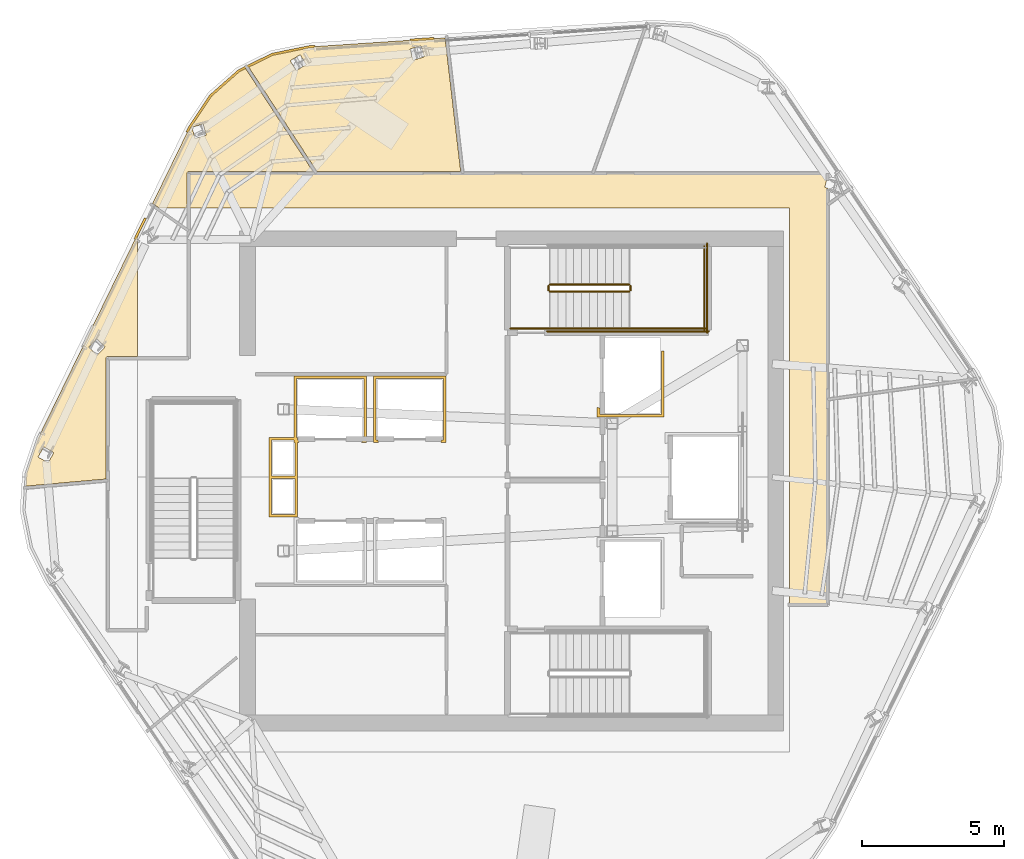
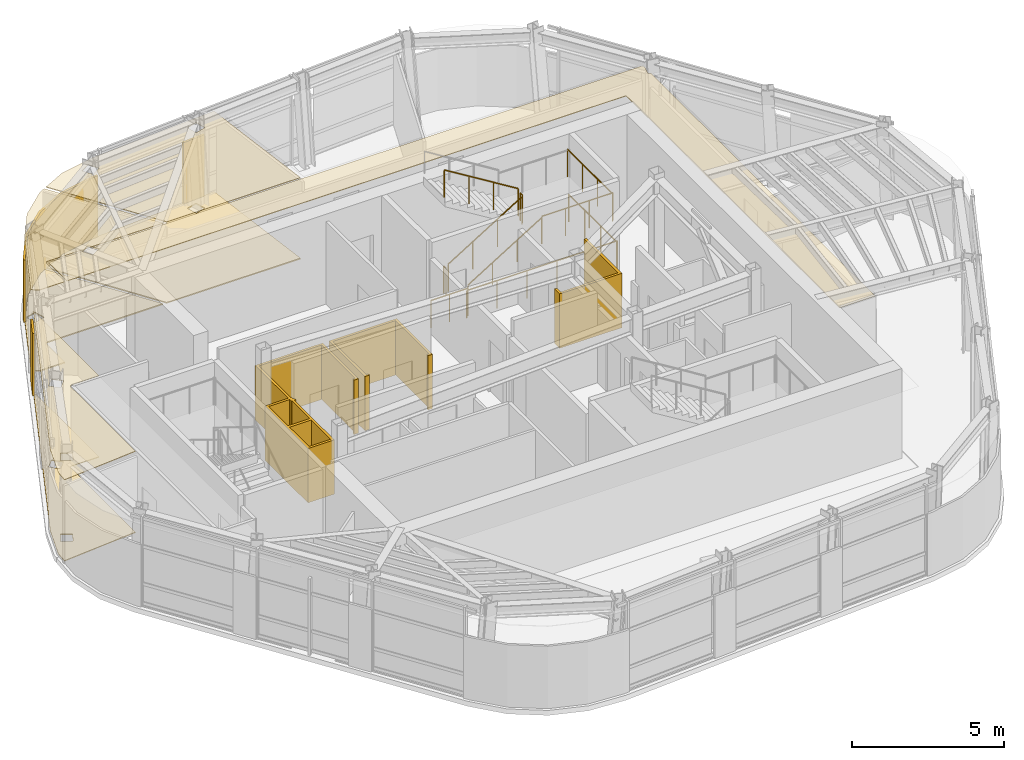
# One storey, part 12 of 14: 13 coverings, 10 railings.
"""IFC4 building model written with IfcOpenShell, lengths in metres."""

from ifc_helpers import new_model, si_unit, direction, frame, origin, origin_2d, place, context, subcontext, project, spatial, polyline, circle, outline, extrude, material, layer, layer_set, type_object, element, save


model = new_model("IFC4")

# Units and contexts
model_context = context("Model", 3, precision=1e-05, world=origin(), true_north=direction((0.0, 1.0)))
body_context = subcontext(model_context, "Body", "Model", "MODEL_VIEW")
ifc_project = project(units=[si_unit("LENGTHUNIT", "METRE"), si_unit("AREAUNIT", "SQUARE_METRE"), si_unit("VOLUMEUNIT", "CUBIC_METRE"), si_unit("PLANEANGLEUNIT", "RADIAN"), si_unit("MASSUNIT", "GRAM", prefix="KILO")], contexts=[model_context])

# Site, building, storey
site_placement = place(None, origin())
site = spatial("IfcSite", under=ifc_project, at=site_placement, CompositionType="ELEMENT")
building_placement = place(site_placement, origin())
building = spatial("IfcBuilding", under=site, at=building_placement, Name="Valkerne Bourse Tower", CompositionType="ELEMENT")
storey_placement = place(building_placement, frame((0.0, 0.0, 300.199951171875)))
storey = spatial("IfcBuildingStorey", under=building, at=storey_placement, Name="L76", CompositionType="ELEMENT", Elevation=300.199951171875)

# Coverings
ifc_material_1 = material(Name="Mineral Fiber Acoustic Ceiling Tile", Category="acoustic")
ifc_layer_1 = layer(ifc_material_1, 0.02490234375)
ifc_layer_set_1 = layer_set([ifc_layer_1], Name="Mineral Fiber Acoustic Ceiling Tile")
covering_type_1 = type_object("IfcCoveringType", Name="COV-CEIL-ACT", PredefinedType="CEILING", material=ifc_layer_set_1)
covering_1_placement = place(storey_placement, frame((0.0, 0.0, 3.25)))
element("IfcCovering", 1, at=covering_1_placement, inside=storey, type_object=covering_type_1, Name="L76 Suspended Ceiling 04", PredefinedType="CEILING", context=body_context, shape_type="SweptSolid", body=[
    extrude(outline(polyline([(33.60009765625, 35.585205078125), (33.60009765625, 31.26904296875), (32.549560546875, 31.26904296875), (32.514892578125, 31.259521484375), (32.490966796875, 31.23583984375), (32.48095703125, 31.20068359375), (32.48095703125, 26.9375), (29.6435546875, 26.684814453125), (29.672607421875, 27.1435546875), (30.096435546875, 28.4033203125), (33.60009765625, 35.585205078125)]), holes=[polyline([(30.63720703125, 27.87109375), (30.281982421875, 28.069091796875), (30.08251953125, 27.712646484375), (30.082275390625, 27.710205078125), (30.4375, 27.51220703125), (30.636962890625, 27.868896484375), (30.63720703125, 27.87109375)]), polyline([(32.4501953125, 31.605224609375), (32.156494140625, 31.88671875), (31.873291015625, 31.59228515625), (31.87255859375, 31.590087890625), (32.166015625, 31.308837890625), (32.449462890625, 31.603271484375), (32.4501953125, 31.605224609375)])]), origin(), (0.0, 0.0, 1.0), 0.025146484375),
])
covering_2_placement = place(storey_placement, frame((0.0, 0.0, 3.25)))
element("IfcCovering", 2, at=covering_2_placement, inside=storey, type_object=covering_type_1, Name="L76 Suspended Ceiling 06", PredefinedType="CEILING", context=body_context, shape_type="SweptSolid", body=[
    extrude(outline(polyline([(44.4482421875, 42.505859375), (45.00244140625, 37.7890625), (39.93017578125, 37.7890625), (37.499755859375, 41.503173828125), (38.34765625, 41.924072265625), (39.650390625, 42.186767578125), (44.4482421875, 42.505859375)]), holes=[polyline([(39.1962890625, 41.35400390625), (39.544921875, 41.56201171875), (39.335205078125, 41.913330078125), (39.3330078125, 41.912353515625), (38.984619140625, 41.704345703125), (39.194091796875, 41.352783203125), (39.1962890625, 41.35400390625)]), polyline([(43.715576171875, 41.83642578125), (43.601806640625, 42.2294921875), (43.599609375, 42.229248046875), (43.209716796875, 42.1162109375), (43.3232421875, 41.72314453125), (43.325439453125, 41.723388671875), (43.715576171875, 41.83642578125)])]), origin(), (0.0, 0.0, 1.0), 0.025146484375),
])
covering_3_placement = place(storey_placement, frame((0.0, 0.0, 3.25)))
element("IfcCovering", 3, at=covering_3_placement, inside=storey, type_object=covering_type_1, Name="L76 Suspended Ceiling 09", PredefinedType="CEILING", context=body_context, shape_type="SweptSolid", body=[
    extrude(outline(polyline([(37.165771484375, 41.33740234375), (37.393310546875, 41.4501953125), (39.789306640625, 37.7890625), (35.399658203125, 37.7890625), (35.370849609375, 37.78271484375), (35.341064453125, 37.756103515625), (35.3310546875, 37.720703125), (35.3310546875, 36.5), (34.360107421875, 36.5), (34.12646484375, 36.664306640625), (35.4404296875, 39.35791015625), (36.17578125, 40.464599609375), (37.165771484375, 41.33740234375)]), holes=[polyline([(36.015625, 39.070556640625), (36.017578125, 39.072265625), (35.9072265625, 39.463623046875), (35.513916015625, 39.353515625), (35.511962890625, 39.351806640625), (35.622314453125, 38.960693359375), (36.015625, 39.070556640625)])]), origin(), (0.0, 0.0, 1.0), 0.025146484375),
])
ifc_material_2 = material(Name="Bronze Anodised Aluminium AA 6063-T6", Category="aluminium")
ifc_layer_2 = layer(ifc_material_2, 0.030029296875)
ifc_layer_set_2 = layer_set([ifc_layer_2], Name="Bronze Anodised Aluminium AA 6063-T6")
covering_type_2 = type_object("IfcCoveringType", Name="COV-CEIL-METAL", PredefinedType="CEILING", material=ifc_layer_set_2)
covering_4_placement = place(storey_placement, frame((0.0, 0.0, 3.25)))
element("IfcCovering", 4, at=covering_4_placement, inside=storey, type_object=covering_type_2, Name="L76 Suspended Ceiling 01", PredefinedType="CEILING", context=body_context, shape_type="SweptSolid", body=[
    extrude(outline(polyline([(35.404052734375, 37.716064453125), (57.946044921875, 37.716064453125), (57.946044921875, 37.605712890625), (57.85302734375, 37.23095703125), (57.8544921875, 37.229248046875), (57.946044921875, 37.206787109375), (57.946044921875, 22.50390625), (56.60009765625, 22.50390625), (56.60009765625, 36.5), (35.404052734375, 36.5), (35.404052734375, 37.716064453125)])), origin(), (0.0, 0.0, 1.0), 0.025146484375),
])
ifc_layer_3 = layer(ifc_material_2, 0.06005859375)
ifc_layer_set_3 = layer_set([ifc_layer_3], Name="Bronze Anodised Aluminium AA 6063-T6")
covering_type_3 = type_object("IfcCoveringType", Name="COV-CRN-ALUM", PredefinedType="CLADDING", material=ifc_layer_set_3)
covering_5_placement = place(storey_placement, origin())
element("IfcCovering", 5, at=covering_5_placement, inside=storey, type_object=covering_type_3, Name="L76 Wind-Shaped Corner Aluminium Cladding 12", PredefinedType="CLADDING", context=body_context, shape_type="SweptSolid", body=[
    extrude(outline(polyline([(33.833984375, 36.164794921875), (33.90576171875, 36.129638671875), (33.537353515625, 35.374755859375), (33.465576171875, 35.409912109375), (33.833984375, 36.164794921875)])), origin(), (0.0, 0.0, 1.0), 2.5),
])
covering_6_placement = place(storey_placement, origin())
element("IfcCovering", 6, at=covering_6_placement, inside=storey, type_object=covering_type_3, Name="L76 Wind-Shaped Corner Aluminium Cladding 13", PredefinedType="CLADDING", context=body_context, shape_type="SweptSolid", body=[
    extrude(outline(polyline([(35.402099609375, 39.379638671875), (36.142578125, 40.493896484375), (37.14111328125, 41.374267578125), (38.333251953125, 41.966064453125), (39.64453125, 42.23046875), (39.84912109375, 42.244140625), (39.8544921875, 42.164306640625), (39.6552734375, 42.15087890625), (38.359375, 41.8896484375), (37.18603515625, 41.30712890625), (36.203369140625, 40.44091796875), (35.4716796875, 39.33984375), (35.38427734375, 39.160400390625), (35.312255859375, 39.195556640625), (35.402099609375, 39.379638671875)])), origin(), (0.0, 0.0, 1.0), 2.5),
])
covering_7_placement = place(storey_placement, origin())
element("IfcCovering", 7, at=covering_7_placement, inside=storey, type_object=covering_type_3, Name="L76 Wind-Shaped Corner Aluminium Cladding 14", PredefinedType="CLADDING", context=body_context, shape_type="SweptSolid", body=[
    extrude(outline(polyline([(44.0517578125, 42.523681640625), (44.05712890625, 42.44384765625), (43.218994140625, 42.387939453125), (43.213623046875, 42.4677734375), (44.0517578125, 42.523681640625)])), origin(), (0.0, 0.0, 1.0), 2.5),
])
ifc_material_3 = material(Name="Galvanised Painted Steel", Category="steel")
ifc_layer_4 = layer(ifc_material_3, 0.044921875)
ifc_layer_set_4 = layer_set([ifc_layer_4], Name="Galvanised Painted Steel")
covering_type_4 = type_object("IfcCoveringType", Name="COV-FLR-RAF", PredefinedType="FLOORING", material=ifc_layer_set_4)
covering_8_placement = place(storey_placement, origin())
element("IfcCovering", 8, at=covering_8_placement, inside=storey, type_object=covering_type_4, Name="L76 Floor Finish 06", PredefinedType="FLOORING", context=body_context, shape_type="SweptSolid", body=[
    extrude(outline(polyline([(44.4482421875, 42.505859375), (45.00244140625, 37.7890625), (39.93017578125, 37.7890625), (37.499755859375, 41.503173828125), (38.34765625, 41.924072265625), (39.650390625, 42.186767578125), (44.4482421875, 42.505859375)]), holes=[polyline([(39.1962890625, 41.35400390625), (39.544921875, 41.56201171875), (39.335205078125, 41.913330078125), (39.3330078125, 41.912353515625), (38.984619140625, 41.704345703125), (39.194091796875, 41.352783203125), (39.1962890625, 41.35400390625)]), polyline([(43.715576171875, 41.83642578125), (43.601806640625, 42.2294921875), (43.599609375, 42.229248046875), (43.209716796875, 42.1162109375), (43.3232421875, 41.72314453125), (43.325439453125, 41.723388671875), (43.715576171875, 41.83642578125)])]), origin(), (0.0, 0.0, 1.0), 0.045166015625),
])
covering_9_placement = place(storey_placement, origin())
element("IfcCovering", 9, at=covering_9_placement, inside=storey, type_object=covering_type_4, Name="L76 Floor Finish 09", PredefinedType="FLOORING", context=body_context, shape_type="SweptSolid", body=[
    extrude(outline(polyline([(37.165771484375, 41.33740234375), (37.393310546875, 41.4501953125), (39.789306640625, 37.7890625), (35.399658203125, 37.7890625), (35.370849609375, 37.78271484375), (35.341064453125, 37.756103515625), (35.3310546875, 37.720703125), (35.3310546875, 36.5), (34.360107421875, 36.5), (34.12646484375, 36.664306640625), (35.4404296875, 39.35791015625), (36.17578125, 40.464599609375), (37.165771484375, 41.33740234375)]), holes=[polyline([(36.015625, 39.070556640625), (36.017578125, 39.072265625), (35.9072265625, 39.463623046875), (35.513916015625, 39.353515625), (35.511962890625, 39.351806640625), (35.622314453125, 38.960693359375), (36.015625, 39.070556640625)])]), origin(), (0.0, 0.0, 1.0), 0.045166015625),
])
ifc_material_4 = material(Name="Polished Granite Stone", Category="masonry")
ifc_layer_5 = layer(ifc_material_4, 0.030029296875)
ifc_layer_set_5 = layer_set([ifc_layer_5], Name="Polished Granite Stone")
covering_type_5 = type_object("IfcCoveringType", Name="COV-FLR-TERRAZZO", PredefinedType="FLOORING", material=ifc_layer_set_5)
covering_10_placement = place(storey_placement, origin())
element("IfcCovering", 10, at=covering_10_placement, inside=storey, type_object=covering_type_5, Name="L76 Floor Finish 04", PredefinedType="FLOORING", context=body_context, shape_type="SweptSolid", body=[
    extrude(outline(polyline([(33.60009765625, 35.585205078125), (33.60009765625, 31.26904296875), (32.549560546875, 31.26904296875), (32.514892578125, 31.259521484375), (32.490966796875, 31.23583984375), (32.48095703125, 31.20068359375), (32.48095703125, 26.9375), (29.6435546875, 26.684814453125), (29.672607421875, 27.1435546875), (30.096435546875, 28.4033203125), (33.60009765625, 35.585205078125)]), holes=[polyline([(30.63720703125, 27.87109375), (30.281982421875, 28.069091796875), (30.08251953125, 27.712646484375), (30.082275390625, 27.710205078125), (30.4375, 27.51220703125), (30.636962890625, 27.868896484375), (30.63720703125, 27.87109375)]), polyline([(32.4501953125, 31.605224609375), (32.156494140625, 31.88671875), (31.873291015625, 31.59228515625), (31.87255859375, 31.590087890625), (32.166015625, 31.308837890625), (32.449462890625, 31.603271484375), (32.4501953125, 31.605224609375)])]), origin(), (0.0, 0.0, 1.0), 0.030029296875),
])
ifc_material_5 = material(Name="Gypsum Shaftwall Liner Board", Category="gypsum")
ifc_layer_6 = layer(ifc_material_5, 0.080078125)
ifc_layer_set_6 = layer_set([ifc_layer_6], Name="Gypsum Shaftwall Liner Board")
covering_type_6 = type_object("IfcCoveringType", Name="COV-SHF-CLAD", PredefinedType="CLADDING", material=ifc_layer_set_6)
covering_11_placement = place(storey_placement, origin())
element("IfcCovering", 11, at=covering_11_placement, inside=storey, type_object=covering_type_6, Name="L76 Hoistway & Riser Shaftwall Liner 04", PredefinedType="CLADDING", context=body_context, shape_type="SweptSolid", body=[
    extrude(outline(polyline([(38.239990234375, 27.0400390625), (38.239990234375, 28.409912109375), (39.1201171875, 28.409912109375), (39.1201171875, 30.580078125), (41.679931640625, 30.580078125), (41.679931640625, 28.219970703125), (41.500732421875, 28.219970703125), (41.511474609375, 28.26220703125), (41.517822265625, 28.305908203125), (41.51806640625, 28.31005859375), (41.590087890625, 28.31005859375), (41.590087890625, 30.489990234375), (39.2099609375, 30.489990234375), (39.2099609375, 28.409912109375), (39.239990234375, 28.409912109375), (39.239990234375, 28.31005859375), (39.281982421875, 28.31005859375), (39.2822265625, 28.305908203125), (39.28857421875, 28.26220703125), (39.29931640625, 28.219970703125), (39.239990234375, 28.219970703125), (39.239990234375, 27.0400390625), (39.239990234375, 26.9599609375), (39.239990234375, 25.590087890625), (38.239990234375, 25.590087890625), (38.239990234375, 26.9599609375), (38.239990234375, 27.0400390625)]), holes=[polyline([(39.14990234375, 26.949951171875), (38.330078125, 26.949951171875), (38.330078125, 25.679931640625), (39.14990234375, 25.679931640625), (39.14990234375, 26.949951171875)]), polyline([(39.14990234375, 28.219970703125), (39.1201171875, 28.219970703125), (39.1201171875, 28.320068359375), (38.330078125, 28.320068359375), (38.330078125, 27.050048828125), (39.14990234375, 27.050048828125), (39.14990234375, 28.219970703125)])]), origin(), (0.0, 0.0, 1.0), 2.179931640625),
])
covering_12_placement = place(storey_placement, origin())
element("IfcCovering", 12, at=covering_12_placement, inside=storey, type_object=covering_type_6, Name="L76 Hoistway & Riser Shaftwall Liner 06", PredefinedType="CLADDING", context=body_context, shape_type="SweptSolid", body=[
    extrude(outline(polyline([(44.47998046875, 28.219970703125), (44.30078125, 28.219970703125), (44.311279296875, 28.26220703125), (44.31787109375, 28.305908203125), (44.318115234375, 28.31005859375), (44.389892578125, 28.31005859375), (44.389892578125, 30.489990234375), (42.010009765625, 30.489990234375), (42.010009765625, 28.31005859375), (42.08203125, 28.31005859375), (42.082275390625, 28.305908203125), (42.088623046875, 28.26220703125), (42.09912109375, 28.219970703125), (41.919921875, 28.219970703125), (41.919921875, 30.580078125), (44.47998046875, 30.580078125), (44.47998046875, 28.219970703125)])), origin(), (0.0, 0.0, 1.0), 2.179931640625),
])
covering_13_placement = place(storey_placement, origin())
element("IfcCovering", 13, at=covering_13_placement, inside=storey, type_object=covering_type_6, Name="L76 Hoistway & Riser Shaftwall Liner 07", PredefinedType="CLADDING", context=body_context, shape_type="SweptSolid", body=[
    extrude(outline(polyline([(49.820068359375, 29.1201171875), (49.820068359375, 29.468017578125), (49.827880859375, 29.46435546875), (49.869384765625, 29.449462890625), (49.909912109375, 29.439208984375), (49.909912109375, 29.2099609375), (52.090087890625, 29.2099609375), (52.090087890625, 31.449951171875), (52.179931640625, 31.449951171875), (52.179931640625, 29.1201171875), (49.820068359375, 29.1201171875)])), origin(), (0.0, 0.0, 1.0), 2.179931640625),
])

# Railings
railing_type_1 = type_object("IfcRailingType", Name="RLG-ST-GUARD-1120", PredefinedType="GUARDRAIL", material=ifc_material_3)
railing_1_placement = place(storey_placement, frame((48.14990234375, 33.550048828125, 0.1728515625)))
element("IfcRailing", 14, at=railing_1_placement, inside=storey, type_object=railing_type_1, Name="L76 ST-2 stair guard 1", PredefinedType="GUARDRAIL", context=body_context, shape_type="SweptSolid", body=[
    extrude(circle(Radius=0.02392578125, at=origin_2d()), frame((0.0, 0.0, 1.09619140625), z_axis=(0.851089632645, 0.0, 0.525020415988), x_axis=(0.0, 1.0, 0.0)), (0.0, 0.0, 1.0), 3.2900390625),
    extrude(circle(Radius=0.02099609375, at=origin_2d()), origin(), (0.0, 0.0, 1.0), 1.072021484375),
    extrude(circle(Radius=0.02099609375, at=origin_2d()), frame((0.933349609375, 0.0, 0.57568359375)), (0.0, 0.0, 1.0), 1.072021484375),
    extrude(circle(Radius=0.02099609375, at=origin_2d()), frame((1.86669921875, 0.0, 1.151611328125)), (0.0, 0.0, 1.0), 1.072021484375),
    extrude(circle(Radius=0.02099609375, at=origin_2d()), frame((2.800048828125, 0.0, 1.727294921875)), (0.0, 0.0, 1.0), 1.072021484375),
])
railing_2_placement = place(storey_placement, frame((51.0, 33.60009765625, 1.900146484375)))
element("IfcRailing", 15, at=railing_2_placement, inside=storey, type_object=railing_type_1, Name="L76 ST-2 stair guard 2", PredefinedType="GUARDRAIL", context=body_context, shape_type="SweptSolid", body=[
    extrude(circle(Radius=0.02392578125, at=origin_2d()), frame((0.0, 0.0, 1.09619140625), z_axis=(0.0, 1.0, 0.0), x_axis=(-1.0, 0.0, 0.0)), (0.0, 0.0, 1.0), 0.14990234375),
    extrude(circle(Radius=0.02099609375, at=origin_2d()), origin(), (0.0, 0.0, 1.0), 1.072021484375),
    extrude(circle(Radius=0.02099609375, at=origin_2d()), frame((0.0, 0.14990234375, 0.0)), (0.0, 0.0, 1.0), 1.072021484375),
])
railing_3_placement = place(storey_placement, frame((50.949951171875, 32.25, 1.900146484375)))
element("IfcRailing", 16, at=railing_3_placement, inside=storey, type_object=railing_type_1, Name="L76 ST-2 stair guard 3", PredefinedType="GUARDRAIL", context=body_context, shape_type="SweptSolid", body=[
    extrude(circle(Radius=0.02392578125, at=origin_2d()), frame((0.0, 0.0, 1.09619140625), z_axis=(1.0, 0.0, 0.0), x_axis=(0.0, 1.0, 0.0)), (0.0, 0.0, 1.0), 2.699951171875),
    extrude(circle(Radius=0.02099609375, at=origin_2d()), origin(), (0.0, 0.0, 1.0), 1.072021484375),
    extrude(circle(Radius=0.02099609375, at=origin_2d()), frame((0.89990234375, 0.0, 0.0)), (0.0, 0.0, 1.0), 1.072021484375),
    extrude(circle(Radius=0.02099609375, at=origin_2d()), frame((1.800048828125, 0.0, 0.0)), (0.0, 0.0, 1.0), 1.072021484375),
    extrude(circle(Radius=0.02099609375, at=origin_2d()), frame((2.699951171875, 0.0, 0.0)), (0.0, 0.0, 1.0), 1.072021484375),
])
railing_4_placement = place(storey_placement, frame((53.60009765625, 32.199951171875, 1.900146484375)))
element("IfcRailing", 17, at=railing_4_placement, inside=storey, type_object=railing_type_1, Name="L76 ST-2 stair guard 5", PredefinedType="GUARDRAIL", context=body_context, shape_type="SweptSolid", body=[
    extrude(circle(Radius=0.02392578125, at=origin_2d()), frame((0.0, 0.0, 1.09619140625), z_axis=(0.0, 1.0, 0.0), x_axis=(-1.0, 0.0, 0.0)), (0.0, 0.0, 1.0), 2.949951171875),
    extrude(circle(Radius=0.02099609375, at=origin_2d()), origin(), (0.0, 0.0, 1.0), 1.072021484375),
    extrude(circle(Radius=0.02099609375, at=origin_2d()), frame((0.0, 0.9833984375, 0.0)), (0.0, 0.0, 1.0), 1.072021484375),
    extrude(circle(Radius=0.02099609375, at=origin_2d()), frame((0.0, 1.966552734375, 0.0)), (0.0, 0.0, 1.0), 1.072021484375),
    extrude(circle(Radius=0.02099609375, at=origin_2d()), frame((0.0, 2.949951171875, 0.0)), (0.0, 0.0, 1.0), 1.072021484375),
])
railing_5_placement = place(storey_placement, frame((50.949951171875, 33.800048828125, 2.07275390625)))
element("IfcRailing", 18, at=railing_5_placement, inside=storey, type_object=railing_type_1, Name="L76 ST-2 stair guard 6", PredefinedType="GUARDRAIL", context=body_context, shape_type="SweptSolid", body=[
    extrude(circle(Radius=0.02392578125, at=origin_2d()), frame((0.0, 0.0, 1.09619140625), z_axis=(-0.851089632645, 0.0, 0.525020415988), x_axis=(0.0, -1.0, 0.0)), (0.0, 0.0, 1.0), 3.2900390625),
    extrude(circle(Radius=0.02099609375, at=origin_2d()), origin(), (0.0, 0.0, 1.0), 1.072021484375),
    extrude(circle(Radius=0.02099609375, at=origin_2d()), frame((-0.933349609375, 0.0, 0.57568359375)), (0.0, 0.0, 1.0), 1.072021484375),
    extrude(circle(Radius=0.02099609375, at=origin_2d()), frame((-1.86669921875, 0.0, 1.151611328125)), (0.0, 0.0, 1.0), 1.072021484375),
    extrude(circle(Radius=0.02099609375, at=origin_2d()), frame((-2.800048828125, 0.0, 1.727294921875)), (0.0, 0.0, 1.0), 1.072021484375),
])
railing_6_placement = place(storey_placement, frame((48.10009765625, 33.60009765625, 0.0)))
element("IfcRailing", 19, at=railing_6_placement, inside=storey, type_object=railing_type_1, Name="L76 ST-2 stair guard 7", PredefinedType="GUARDRAIL", context=body_context, shape_type="SweptSolid", body=[
    extrude(circle(Radius=0.02392578125, at=origin_2d()), frame((0.0, 0.0, 1.09619140625), z_axis=(0.0, 1.0, 0.0), x_axis=(-1.0, 0.0, 0.0)), (0.0, 0.0, 1.0), 0.14990234375),
    extrude(circle(Radius=0.02099609375, at=origin_2d()), origin(), (0.0, 0.0, 1.0), 1.072021484375),
    extrude(circle(Radius=0.02099609375, at=origin_2d()), frame((0.0, 0.14990234375, 0.0)), (0.0, 0.0, 1.0), 1.072021484375),
])
railing_7_placement = place(storey_placement, frame((46.75, 32.25, 0.0)))
element("IfcRailing", 20, at=railing_7_placement, inside=storey, type_object=railing_type_1, Name="L76 ST-2 stair guard 8", PredefinedType="GUARDRAIL", context=body_context, shape_type="SweptSolid", body=[
    extrude(circle(Radius=0.02392578125, at=origin_2d()), frame((0.0, 0.0, 1.09619140625), z_axis=(1.0, 0.0, 0.0), x_axis=(0.0, 1.0, 0.0)), (0.0, 0.0, 1.0), 1.39990234375),
    extrude(circle(Radius=0.02099609375, at=origin_2d()), origin(), (0.0, 0.0, 1.0), 1.072021484375),
    extrude(circle(Radius=0.02099609375, at=origin_2d()), frame((0.699951171875, 0.0, 0.0)), (0.0, 0.0, 1.0), 1.072021484375),
    extrude(circle(Radius=0.02099609375, at=origin_2d()), frame((1.39990234375, 0.0, 0.0)), (0.0, 0.0, 1.0), 1.072021484375),
])
railing_8_placement = place(storey_placement, frame((48.050048828125, 32.14990234375, 0.0)))
element("IfcRailing", 21, at=railing_8_placement, inside=storey, type_object=railing_type_1, Name="L76 ST-2 stair guard 10", PredefinedType="GUARDRAIL", context=body_context, shape_type="SweptSolid", body=[
    extrude(circle(Radius=0.02392578125, at=origin_2d()), frame((0.0, 0.0, 1.09619140625), z_axis=(1.0, 0.0, 0.0), x_axis=(0.0, 1.0, 0.0)), (0.0, 0.0, 1.0), 5.699951171875),
    extrude(circle(Radius=0.02099609375, at=origin_2d()), origin(), (0.0, 0.0, 1.0), 1.072021484375),
    extrude(circle(Radius=0.02099609375, at=origin_2d()), frame((1.139892578125, 0.0, 0.0)), (0.0, 0.0, 1.0), 1.072021484375),
    extrude(circle(Radius=0.02099609375, at=origin_2d()), frame((2.280029296875, 0.0, 0.0)), (0.0, 0.0, 1.0), 1.072021484375),
    extrude(circle(Radius=0.02099609375, at=origin_2d()), frame((3.419921875, 0.0, 0.0)), (0.0, 0.0, 1.0), 1.072021484375),
    extrude(circle(Radius=0.02099609375, at=origin_2d()), frame((4.56005859375, 0.0, 0.0)), (0.0, 0.0, 1.0), 1.072021484375),
    extrude(circle(Radius=0.02099609375, at=origin_2d()), frame((5.699951171875, 0.0, 0.0)), (0.0, 0.0, 1.0), 1.072021484375),
])
railing_9_placement = place(storey_placement, frame((53.699951171875, 32.10009765625, 0.0)))
element("IfcRailing", 22, at=railing_9_placement, inside=storey, type_object=railing_type_1, Name="L76 ST-2 stair guard 12", PredefinedType="GUARDRAIL", context=body_context, shape_type="SweptSolid", body=[
    extrude(circle(Radius=0.02392578125, at=origin_2d()), frame((0.0, 0.0, 1.09619140625), z_axis=(0.0, 1.0, 0.0), x_axis=(-1.0, 0.0, 0.0)), (0.0, 0.0, 1.0), 3.14990234375),
    extrude(circle(Radius=0.02099609375, at=origin_2d()), origin(), (0.0, 0.0, 1.0), 1.072021484375),
    extrude(circle(Radius=0.02099609375, at=origin_2d()), frame((0.0, 1.050048828125, 0.0)), (0.0, 0.0, 1.0), 1.072021484375),
    extrude(circle(Radius=0.02099609375, at=origin_2d()), frame((0.0, 2.099853515625, 0.0)), (0.0, 0.0, 1.0), 1.072021484375),
    extrude(circle(Radius=0.02099609375, at=origin_2d()), frame((0.0, 3.14990234375, 0.0)), (0.0, 0.0, 1.0), 1.072021484375),
])
ifc_material_6 = material(Name="Stainless Steel AISI 316", Category="steel")
railing_type_2 = type_object("IfcRailingType", Name="RLG-ST-HANDRAIL-900", PredefinedType="HANDRAIL", material=ifc_material_6)
railing_10_placement = place(storey_placement, frame((48.14990234375, 32.25, 0.345458984375)))
element("IfcRailing", 23, at=railing_10_placement, inside=storey, type_object=railing_type_2, Name="L76 ST-2 stair handrail 1", PredefinedType="HANDRAIL", context=body_context, shape_type="SweptSolid", body=[
    extrude(circle(Radius=0.02392578125, at=origin_2d()), frame((0.0, 0.0, 0.8759765625), z_axis=(0.851089632645, 0.0, 0.525020415988), x_axis=(0.0, 1.0, 0.0)), (0.0, 0.0, 1.0), 3.2900390625),
    extrude(circle(Radius=0.02099609375, at=origin_2d()), origin(), (0.0, 0.0, 1.0), 0.851806640625),
    extrude(circle(Radius=0.02099609375, at=origin_2d()), frame((0.933349609375, 0.0, 0.57568359375)), (0.0, 0.0, 1.0), 0.851806640625),
    extrude(circle(Radius=0.02099609375, at=origin_2d()), frame((1.86669921875, 0.0, 1.151611328125)), (0.0, 0.0, 1.0), 0.851806640625),
    extrude(circle(Radius=0.02099609375, at=origin_2d()), frame((2.800048828125, 0.0, 1.727294921875)), (0.0, 0.0, 1.0), 0.851806640625),
])

save(model, "model.ifc")
